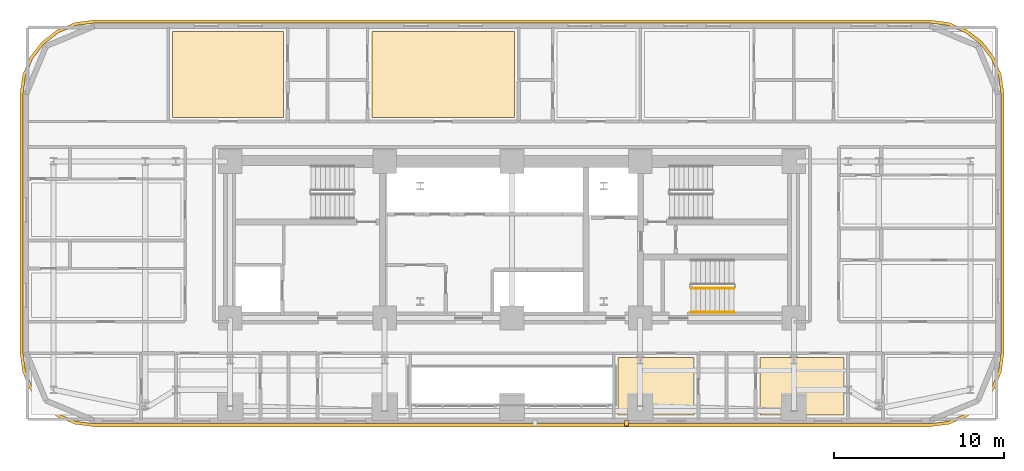
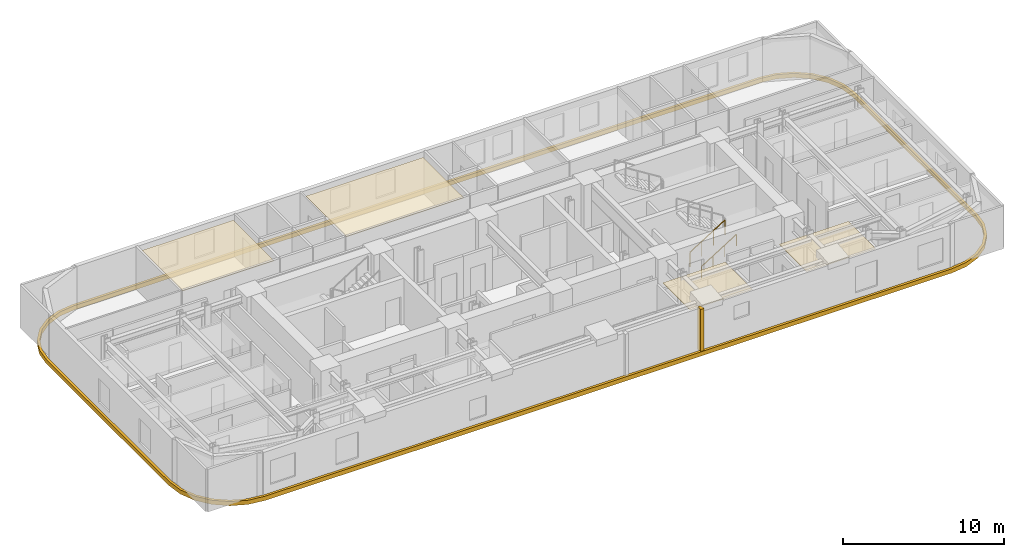
# One storey, part 15 of 16: 6 coverings, 2 railings.
"""IFC4 building model written with IfcOpenShell, lengths in metres."""

import ifcopenshell
import ifcopenshell.guid

model = None  # the IFC model being written
_history = None  # IfcOwnerHistory: only IFC2X3 demands one
_inside = {}  # id of a spatial element -> (the spatial element, [elements in it])
_under = {}  # id of a project, library or spatial element -> (it, [spatial elements below it])
_declared = {}  # id of a project -> (the project, [libraries it declares])
_typed = {}  # id of a type object -> (the type object, [elements of that type])
_made_of = {}  # id of a material, layer set ... -> (it, [elements and type objects made of it])


def new_model(schema):
    """Start an empty IFC model of exactly this schema.

    Asked for "IFC4X3", IfcOpenShell would pick the latest addendum, in which some entities
    have other attributes; the version numbers below select the first issue.
    IFC2X3 requires an IfcOwnerHistory on every rooted entity: one is made here for all.
    """
    global model, _history
    if schema == "IFC4X3":
        model = ifcopenshell.file(schema_version=(4, 3, 0, 0))
    else:
        model = ifcopenshell.file(schema=schema)
    _inside.clear()
    _under.clear()
    _declared.clear()
    _typed.clear()
    _made_of.clear()
    _history = None
    if model.schema == "IFC2X3":
        org = make("IfcOrganization", Name="unknown")
        user = make(
            "IfcPersonAndOrganization",
            ThePerson=make("IfcPerson", FamilyName="unknown"),
            TheOrganization=org,
        )
        app = make(
            "IfcApplication",
            ApplicationDeveloper=org,
            Version="unknown",
            ApplicationFullName="unknown",
            ApplicationIdentifier="unknown",
        )
        _history = make(
            "IfcOwnerHistory",
            OwningUser=user,
            OwningApplication=app,
            ChangeAction="ADDED",
            CreationDate=0,
        )
    return model


def make(cls, **values):
    """One entity of the class cls with the attributes given. An attribute that is None is left unset."""
    return model.create_entity(
        cls, **{name: value for name, value in values.items() if value is not None}
    )


def rooted(cls, **values):
    """An entity with a GlobalId (a new one), such as an element, a storey or a relation."""
    return make(cls, GlobalId=ifcopenshell.guid.new(), OwnerHistory=_history, **values)


def si_unit(unit_type, name, prefix=None):
    """IfcSIUnit, for example si_unit("LENGTHUNIT", "METRE", prefix="MILLI")."""
    return make("IfcSIUnit", UnitType=unit_type, Prefix=prefix, Name=name)


def assignment(units):
    """IfcUnitAssignment: the units of a project."""
    return None if units is None else make("IfcUnitAssignment", Units=units)


def point(xyz):
    """IfcCartesianPoint."""
    return None if xyz is None else make("IfcCartesianPoint", Coordinates=xyz)


def direction(xyz):
    """IfcDirection."""
    return None if xyz is None else make("IfcDirection", DirectionRatios=xyz)


def frame(location, z_axis=None, x_axis=None):
    """IfcAxis2Placement3D, a coordinate frame: its origin and axes. An axis left out is left unset."""
    return make(
        "IfcAxis2Placement3D",
        Location=point(location),
        Axis=direction(z_axis),
        RefDirection=direction(x_axis),
    )


def frame_2d(location, x_axis=None):
    """IfcAxis2Placement2D, a coordinate frame in the plane: its origin and x axis."""
    return make(
        "IfcAxis2Placement2D", Location=point(location), RefDirection=direction(x_axis)
    )


def origin():
    """The frame at (0, 0, 0) with its axes left unset."""
    return frame((0.0, 0.0, 0.0))


def origin_2d():
    """The frame at (0, 0) in the plane with its x axis left unset."""
    return frame_2d((0.0, 0.0))


def place(relative_to, where):
    """IfcLocalPlacement: puts the frame where relative to a parent placement (None: the world)."""
    return make(
        "IfcLocalPlacement", PlacementRelTo=relative_to, RelativePlacement=where
    )


def context(
    kind, dimensions, precision=None, world=None, true_north=None, identifier=None
):
    """IfcGeometricRepresentationContext, for example the 3D "Model" context."""
    return make(
        "IfcGeometricRepresentationContext",
        ContextIdentifier=identifier,
        ContextType=kind,
        CoordinateSpaceDimension=dimensions,
        Precision=precision,
        WorldCoordinateSystem=world,
        TrueNorth=true_north,
    )


def subcontext(parent, identifier, kind, view, scale=None):
    """IfcGeometricRepresentationSubContext, for example "Body" below "Model"."""
    return make(
        "IfcGeometricRepresentationSubContext",
        ContextIdentifier=identifier,
        ContextType=kind,
        ParentContext=parent,
        TargetScale=scale,
        TargetView=view,
    )


def project(units=None, contexts=None):
    """IfcProject with its units and contexts."""
    return rooted(
        "IfcProject",
        Name="project",
        RepresentationContexts=contexts,
        UnitsInContext=assignment(units),
    )


def spatial(cls, under=None, at=None, **own):
    """A site, building, storey or space (cls), placed at a placement, below another one or the project."""
    s = rooted(cls, ObjectPlacement=at, **own)
    if under is not None:
        _under.setdefault(under.id(), (under, []))[1].append(s)
    return s


def polyline(points):
    """IfcPolyline through the points."""
    return make("IfcPolyline", Points=[point(p) for p in points])


def profile(cls, at=None, kind="AREA", **sizes):
    """A parametric profile (cls). Its sizes go by their IFC names, for example OverallWidth=200.0."""
    return make(cls, ProfileType=kind, Position=at, **sizes)


def rectangle(**sizes):
    """IfcRectangleProfileDef."""
    return profile("IfcRectangleProfileDef", **sizes)


def outline(outer, holes=None, kind="AREA"):
    """IfcArbitraryClosedProfileDef: a profile drawn as a closed curve; with holes, ...WithVoids."""
    if holes is None:
        return make("IfcArbitraryClosedProfileDef", ProfileType=kind, OuterCurve=outer)
    return make(
        "IfcArbitraryProfileDefWithVoids",
        ProfileType=kind,
        OuterCurve=outer,
        InnerCurves=holes,
    )


def extrude(swept, where, along, depth):
    """IfcExtrudedAreaSolid: the profile swept, set in the frame where, extruded along a direction by depth."""
    return make(
        "IfcExtrudedAreaSolid",
        SweptArea=swept,
        Position=where,
        ExtrudedDirection=direction(along),
        Depth=depth,
    )


def shape(context_of_items, identifier, shape_type, items):
    """IfcShapeRepresentation: the items that make up one representation, for example the "Body"."""
    return make(
        "IfcShapeRepresentation",
        ContextOfItems=context_of_items,
        RepresentationIdentifier=identifier,
        RepresentationType=shape_type,
        Items=items,
    )


def material(Name=None, Category=None):
    """IfcMaterial."""
    return make("IfcMaterial", Name=Name, Category=Category)


def layer(
    of_material, thickness, ventilated=None, Name=None, Category=None, Priority=None
):
    """IfcMaterialLayer: one layer of a wall or slab, of a material (None: an air gap)."""
    return make(
        "IfcMaterialLayer",
        Material=of_material,
        LayerThickness=thickness,
        IsVentilated=ventilated,
        Name=Name,
        Category=Category,
        Priority=Priority,
    )


def layer_set(layers, Name=None):
    """IfcMaterialLayerSet."""
    return make("IfcMaterialLayerSet", MaterialLayers=layers, LayerSetName=Name)


def made_of(thing, what):
    """Note that an element or type object is made of a material, layer set ...; save() writes the relation."""
    if what is not None:
        _made_of.setdefault(what.id(), (what, []))[1].append(thing)
    return thing


def type_object(cls, material=None, **own):
    """A type object (cls), such as IfcWallType, which elements share."""
    return made_of(rooted(cls, **own), material)


def element(
    cls,
    number,
    at=None,
    inside=None,
    cuts=None,
    type_object=None,
    material=None,
    context=None,
    identifier="Body",
    shape_type=None,
    held_by="IfcProductDefinitionShape",
    body=None,
    shapes=None,
    **own,
):
    """One element of the class cls, such as IfcWall. Its Tag is "e" and its number.

    at: its placement. inside: the storey or other place that contains it. cuts: it is an
    opening in that element (IfcRelVoidsElement). A single representation is given by context,
    identifier, shape_type and body (its items); several are given by shapes. held_by: the class
    of the entity that holds the representations. save() writes the other relations.
    """
    e = rooted(cls, Tag="e%d" % number, ObjectPlacement=at, **own)
    if body is not None:
        shapes = [shape(context, identifier, shape_type, body)]
    if shapes is not None:
        e.Representation = make(held_by, Representations=shapes)
    if inside is not None:
        _inside.setdefault(inside.id(), (inside, []))[1].append(e)
    if cuts is not None:
        rooted(
            "IfcRelVoidsElement", RelatingBuildingElement=cuts, RelatedOpeningElement=e
        )
    if type_object is not None:
        _typed.setdefault(type_object.id(), (type_object, []))[1].append(e)
    return made_of(e, material)


def aggregate(whole, parts):
    """IfcRelAggregates: a whole, such as a stair, and the parts it consists of."""
    return rooted("IfcRelAggregates", RelatingObject=whole, RelatedObjects=parts)


def save(model, path):
    """Write the relations noted so far, then the file.

    IfcRelAggregates (storeys below a building ...), IfcRelContainedInSpatialStructure (elements
    in a storey), IfcRelDefinesByType, IfcRelAssociatesMaterial and IfcRelDeclares: one each for
    every whole, place, type object, material and project.
    """
    for whole, parts in _under.values():
        aggregate(whole, parts)
    for where, things in _inside.values():
        rooted(
            "IfcRelContainedInSpatialStructure",
            RelatedElements=things,
            RelatingStructure=where,
        )
    for kind, things in _typed.values():
        rooted("IfcRelDefinesByType", RelatedObjects=things, RelatingType=kind)
    for what, things in _made_of.values():
        rooted("IfcRelAssociatesMaterial", RelatedObjects=things, RelatingMaterial=what)
    for by, libraries in _declared.values():
        rooted("IfcRelDeclares", RelatingContext=by, RelatedDefinitions=libraries)
    model.write(path)


model = new_model("IFC4")

# Units and contexts
model_context = context("Model", 3, precision=1e-05, world=origin(), true_north=direction((0.0, 1.0)))
body_context = subcontext(model_context, "Body", "Model", "MODEL_VIEW")
ifc_project = project(units=[si_unit("LENGTHUNIT", "METRE"), si_unit("AREAUNIT", "SQUARE_METRE"), si_unit("VOLUMEUNIT", "CUBIC_METRE"), si_unit("PLANEANGLEUNIT", "RADIAN"), si_unit("MASSUNIT", "GRAM", prefix="KILO")], contexts=[model_context])

# Site, building, storey
site_placement = place(None, origin())
site = spatial("IfcSite", under=ifc_project, at=site_placement, CompositionType="ELEMENT")
building_placement = place(site_placement, origin())
building = spatial("IfcBuilding", under=site, at=building_placement, Name="Zarnavel Station Tower", CompositionType="ELEMENT")
storey_placement = place(building_placement, frame((0.0, 0.0, 39.5)))
storey = spatial("IfcBuildingStorey", under=building, at=storey_placement, Name="L10", CompositionType="ELEMENT", Elevation=39.5)

# Coverings
ifc_material_1 = material(Name="Perforated Gypsum and Mineral-Wool Acoustic Ceiling", Category="concrete")
ifc_layer = layer(ifc_material_1, 0.0400390625)
ifc_layer_set = layer_set([ifc_layer], Name="COV_CEIL_ACOUSTIC")
covering_type_1 = type_object("IfcCoveringType", Name="COV_CEIL_ACOUSTIC", PredefinedType="CEILING", material=ifc_layer_set)
covering_1_placement = place(storey_placement, frame((0.0, 0.0, 2.919921875)))
element("IfcCovering", 1, at=covering_1_placement, inside=storey, type_object=covering_type_1, Name="L10 HN1R Acoustic Ceiling", PredefinedType="CEILING", context=body_context, shape_type="SweptSolid", body=[
    extrude(outline(polyline([(8.81005859375, 39.64990234375), (15.341064453125, 39.64990234375), (15.341064453125, 44.68994140625), (8.81005859375, 44.68994140625), (8.81005859375, 39.64990234375)])), origin(), (0.0, 0.0, 1.0), 0.0400390625),
])
covering_2_placement = place(storey_placement, frame((0.0, 0.0, 2.919921875)))
element("IfcCovering", 2, at=covering_2_placement, inside=storey, type_object=covering_type_1, Name="L10 HN2R Acoustic Ceiling", PredefinedType="CEILING", context=body_context, shape_type="SweptSolid", body=[
    extrude(outline(polyline([(20.541015625, 39.64990234375), (28.947998046875, 39.64990234375), (28.947998046875, 44.68994140625), (20.541015625, 44.68994140625), (20.541015625, 39.64990234375)])), origin(), (0.0, 0.0, 1.0), 0.0400390625),
])
covering_3_placement = place(storey_placement, frame((0.0, 0.0, 2.919921875)))
element("IfcCovering", 3, at=covering_3_placement, inside=storey, type_object=covering_type_1, Name="L10 HE1R Acoustic Ceiling", PredefinedType="CEILING", context=body_context, shape_type="SweptSolid", body=[
    extrude(outline(polyline([(35.050048828125, 22.110107421875), (39.529052734375, 22.110107421875), (39.529052734375, 25.5), (35.050048828125, 25.5), (35.050048828125, 22.110107421875)])), origin(), (0.0, 0.0, 1.0), 0.0400390625),
])
covering_4_placement = place(storey_placement, frame((0.0, 0.0, 2.919921875)))
element("IfcCovering", 4, at=covering_4_placement, inside=storey, type_object=covering_type_1, Name="L10 HE2R Acoustic Ceiling", PredefinedType="CEILING", context=body_context, shape_type="SweptSolid", body=[
    extrude(outline(polyline([(43.39990234375, 22.110107421875), (48.35009765625, 22.110107421875), (48.35009765625, 25.5), (43.39990234375, 25.5), (43.39990234375, 22.110107421875)])), origin(), (0.0, 0.0, 1.0), 0.0400390625),
])
ifc_material_2 = material(Name="Precast concrete C45/55 (Pale Travertine Slab Band)", Category="masonry")
covering_type_2 = type_object("IfcCoveringType", Name="COV_TRAVERTINE_BAND", PredefinedType="CLADDING", material=ifc_material_2)
covering_5_placement = place(storey_placement, frame((0.0, 0.0, -0.260009765625)))
element("IfcCovering", 5, at=covering_5_placement, inside=storey, type_object=covering_type_2, Name="L10 Pale Travertine Slab-Edge Band", PredefinedType="CLADDING", context=body_context, shape_type="SweptSolid", body=[
    extrude(outline(polyline([(53.39990234375, 21.419921875), (54.53369140625, 21.569091796875), (55.590087890625, 22.0068359375), (56.4970703125, 22.702880859375), (57.193115234375, 23.610107421875), (57.630859375, 24.66650390625), (57.780029296875, 25.800048828125), (57.780029296875, 41.0), (57.630859375, 42.133544921875), (57.193115234375, 43.18994140625), (56.4970703125, 44.09716796875), (55.590087890625, 44.793212890625), (54.53369140625, 45.230712890625), (53.39990234375, 45.3798828125), (4.199951171875, 45.3798828125), (3.06640625, 45.230712890625), (2.010009765625, 44.793212890625), (1.102783203125, 44.09716796875), (0.40673828125, 43.18994140625), (-0.03076171875, 42.133544921875), (-0.179931640625, 41.0), (-0.179931640625, 25.800048828125), (-0.03076171875, 24.66650390625), (0.40673828125, 23.610107421875), (1.102783203125, 22.702880859375), (2.010009765625, 22.0068359375), (3.06640625, 21.569091796875), (4.199951171875, 21.419921875), (53.39990234375, 21.419921875)]), holes=[polyline([(53.39990234375, 21.60009765625), (54.487060546875, 21.7431640625), (55.5, 22.16259765625), (56.369873046875, 22.830078125), (57.037353515625, 23.699951171875), (57.456787109375, 24.712890625), (57.60009765625, 25.800048828125), (57.60009765625, 41.0), (57.456787109375, 42.0869140625), (57.037353515625, 43.10009765625), (56.369873046875, 43.9697265625), (55.5, 44.63720703125), (54.487060546875, 45.056884765625), (53.39990234375, 45.199951171875), (4.199951171875, 45.199951171875), (3.113037109375, 45.056884765625), (2.10009765625, 44.63720703125), (1.230224609375, 43.9697265625), (0.562744140625, 43.10009765625), (0.14306640625, 42.0869140625), (0.0, 41.0), (0.0, 25.800048828125), (0.14306640625, 24.712890625), (0.562744140625, 23.699951171875), (1.230224609375, 22.830078125), (2.10009765625, 22.16259765625), (3.113037109375, 21.7431640625), (4.199951171875, 21.60009765625), (53.39990234375, 21.60009765625)])]), origin(), (0.0, 0.0, 1.0), 0.320068359375),
])
covering_6_placement = place(storey_placement, frame((35.550048828125, 21.64990234375, 0.0), z_axis=(0.0, 0.0, 1.0), x_axis=(1.0, 0.0, 0.0)))
element("IfcCovering", 6, at=covering_6_placement, inside=storey, type_object=covering_type_2, Name="L10 Travertine Portal Loggia Vertical Jog East", PredefinedType="CLADDING", context=body_context, shape_type="SweptSolid", body=[
    extrude(rectangle(XDim=0.239990234375, YDim=0.360107421875, at=origin_2d()), origin(), (0.0, 0.0, 1.0), 3.239990234375),
])

# Railings
ifc_material_3 = material(Name="Painted Steel S355J2 Balustrade", Category="steel")
railing_type_1 = type_object("IfcRailingType", Name="GR_INT_1150", PredefinedType="GUARDRAIL", material=ifc_material_3)
railing_1_placement = place(storey_placement, frame((39.35009765625, 29.570068359375, 0.175048828125)))
element("IfcRailing", 7, at=railing_1_placement, inside=storey, type_object=railing_type_1, Name="L10 ST3 stair guard 1", PredefinedType="GUARDRAIL", context=body_context, shape_type="SweptSolid", body=[
    extrude(rectangle(XDim=0.048095703125, YDim=0.048095703125, at=origin_2d()), frame((0.001708984375, 0.0, 1.126953125), z_axis=(0.848007534815, 0.0, 0.529984170421), x_axis=(0.0, 1.0, 0.0)), (0.0, 0.0, 1.0), 2.9677734375),
    extrude(rectangle(XDim=0.0419921875, YDim=0.0419921875, at=origin_2d()), origin(), (0.0, 0.0, 1.0), 1.101806640625),
    extrude(rectangle(XDim=0.0419921875, YDim=0.0419921875, at=origin_2d()), frame((0.840087890625, 0.0, 0.52490234375)), (0.0, 0.0, 1.0), 1.101806640625),
    extrude(rectangle(XDim=0.0419921875, YDim=0.0419921875, at=origin_2d()), frame((1.679931640625, 0.0, 1.050048828125)), (0.0, 0.0, 1.0), 1.101806640625),
    extrude(rectangle(XDim=0.0419921875, YDim=0.0419921875, at=origin_2d()), frame((2.52001953125, 0.0, 1.574951171875)), (0.0, 0.0, 1.0), 1.101806640625),
])
ifc_material_4 = material(Name="Brushed Stainless Steel S355J2 Handrail", Category="steel")
railing_type_2 = type_object("IfcRailingType", Name="HR_STAIR_900", PredefinedType="HANDRAIL", material=ifc_material_4)
railing_2_placement = place(storey_placement, frame((39.35009765625, 28.169921875, 0.175048828125)))
element("IfcRailing", 8, at=railing_2_placement, inside=storey, type_object=railing_type_2, Name="L10 ST3 stair handrail 1", PredefinedType="HANDRAIL", context=body_context, shape_type="SweptSolid", body=[
    extrude(rectangle(XDim=0.048095703125, YDim=0.048095703125, at=origin_2d()), frame((0.001708984375, 0.0, 0.876953125), z_axis=(0.848007534815, 0.0, 0.529984170421), x_axis=(0.0, 1.0, 0.0)), (0.0, 0.0, 1.0), 2.9677734375),
    extrude(rectangle(XDim=0.0419921875, YDim=0.0419921875, at=origin_2d()), origin(), (0.0, 0.0, 1.0), 0.851806640625),
    extrude(rectangle(XDim=0.0419921875, YDim=0.0419921875, at=origin_2d()), frame((0.840087890625, 0.0, 0.52490234375)), (0.0, 0.0, 1.0), 0.851806640625),
    extrude(rectangle(XDim=0.0419921875, YDim=0.0419921875, at=origin_2d()), frame((1.679931640625, 0.0, 1.050048828125)), (0.0, 0.0, 1.0), 0.851806640625),
    extrude(rectangle(XDim=0.0419921875, YDim=0.0419921875, at=origin_2d()), frame((2.52001953125, 0.0, 1.574951171875)), (0.0, 0.0, 1.0), 0.851806640625),
])

save(model, "model.ifc")
